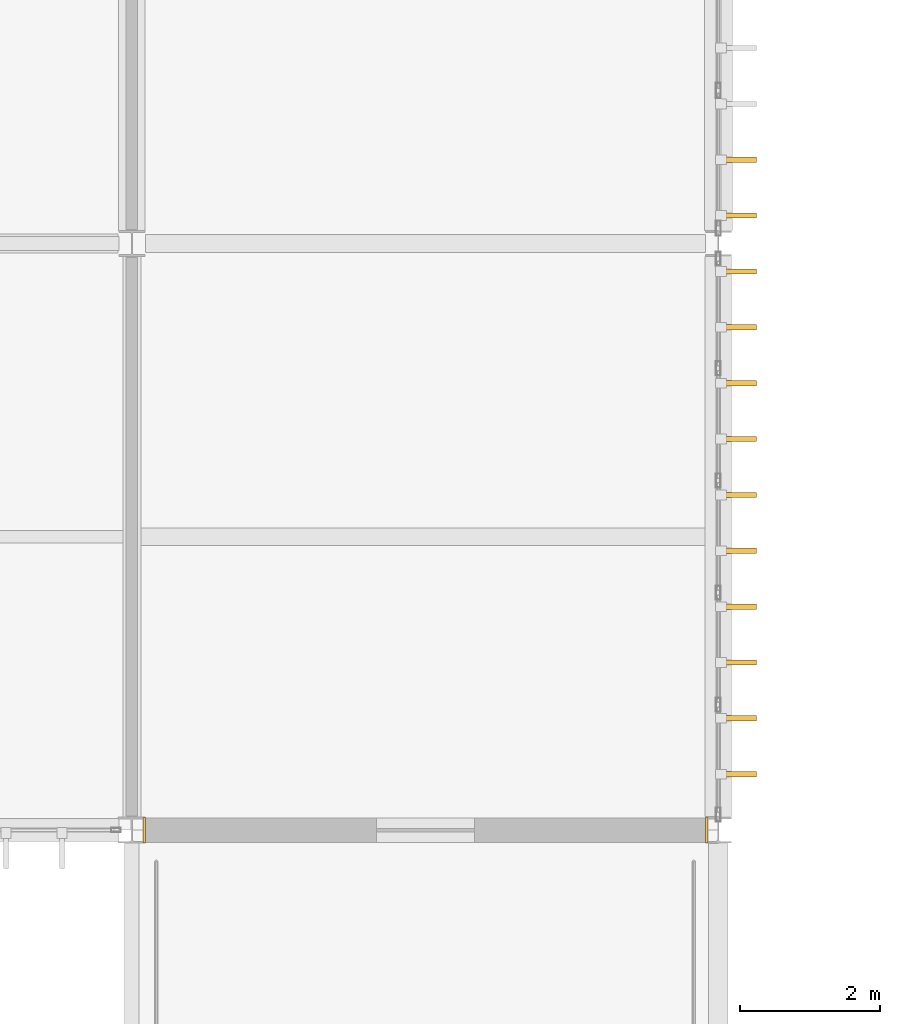
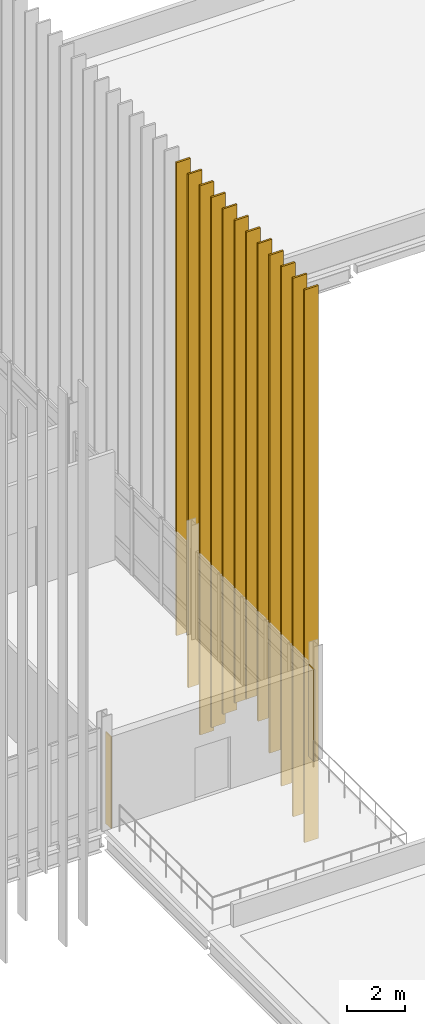
# One storey, part 142 of 153: 14 coverings.
"""IFC4 building model written with IfcOpenShell, lengths in metres."""

from ifc_helpers import new_model, si_unit, direction, frame, origin, origin_2d, place, context, subcontext, project, spatial, polyline, rectangle, outline, extrude, material, layer, layer_set, type_object, element, save


model = new_model("IFC4")

# Units and contexts
model_context = context("Model", 3, precision=1e-05, world=origin(), true_north=direction((0.0, 1.0)))
body_context = subcontext(model_context, "Body", "Model", "MODEL_VIEW")
ifc_project = project(units=[si_unit("LENGTHUNIT", "METRE"), si_unit("AREAUNIT", "SQUARE_METRE"), si_unit("VOLUMEUNIT", "CUBIC_METRE"), si_unit("PLANEANGLEUNIT", "RADIAN"), si_unit("MASSUNIT", "GRAM", prefix="KILO")], contexts=[model_context])

# Site, building, storey
site_placement = place(None, origin())
site = spatial("IfcSite", under=ifc_project, at=site_placement, CompositionType="ELEMENT")
building_placement = place(site_placement, origin())
building = spatial("IfcBuilding", under=site, at=building_placement, Name="Calvrana Isthmian Art Gallery", CompositionType="ELEMENT")
storey_placement = place(building_placement, frame((0.0, 0.0, 10.199951171875)))
storey = spatial("IfcBuildingStorey", under=building, at=storey_placement, Name="L02", CompositionType="ELEMENT", Elevation=10.199951171875)

# Coverings
ifc_material_1 = material(Name="Polychrome glazed terracotta", Category="masonry")
ifc_layer_1 = layer(ifc_material_1, 0.0400390625, Name="Polychrome glazed terracotta")
ifc_layer_set_1 = layer_set([ifc_layer_1], Name="Polychrome glazed terracotta")
covering_type_1 = type_object("IfcCoveringType", Name="COV-CLAD-TERRA", PredefinedType="CLADDING", material=ifc_layer_set_1)
covering_1_placement = place(storey_placement, origin())
element("IfcCovering", 1, at=covering_1_placement, inside=storey, type_object=covering_type_1, Name="Column pocket weather closure L02-09-03-W", PredefinedType="CLADDING", context=body_context, shape_type="SweptSolid", body=[
    extrude(outline(polyline([(72.156982421875, 21.4169921875), (72.197021484375, 21.4169921875), (72.197021484375, 21.782958984375), (72.156982421875, 21.782958984375), (72.156982421875, 21.4169921875)])), origin(), (0.0, 0.0, 1.0), 3.84716796875),
])
covering_2_placement = place(storey_placement, origin())
element("IfcCovering", 2, at=covering_2_placement, inside=storey, type_object=covering_type_1, Name="Column pocket weather closure L02-09-03-E", PredefinedType="CLADDING", context=body_context, shape_type="SweptSolid", body=[
    extrude(outline(polyline([(80.21337890625, 21.41845703125), (80.25341796875, 21.41845703125), (80.25341796875, 21.781494140625), (80.21337890625, 21.781494140625), (80.21337890625, 21.41845703125)])), origin(), (0.0, 0.0, 1.0), 3.84716796875),
])
ifc_material_2 = material(Name="Anodized bronze aluminium 6063-T6", Category="aluminium")
ifc_layer_2 = layer(ifc_material_2, 0.074951171875, Name="Anodized bronze aluminium 6063-T6")
ifc_layer_set_2 = layer_set([ifc_layer_2], Name="Anodized bronze aluminium 6063-T6")
covering_type_2 = type_object("IfcCoveringType", Name="COV-FIN-550", PredefinedType="CLADDING", material=ifc_layer_set_2)
covering_3_placement = place(storey_placement, frame((80.673095703125, 22.39990234375, -4.0498046875), z_axis=(0.0, 0.0, 1.0), x_axis=(1.0, 0.0, 0.0)))
element("IfcCovering", 3, at=covering_3_placement, inside=storey, type_object=covering_type_2, Name="Anodized bronze vertical solar fin FN-133", PredefinedType="CLADDING", context=body_context, shape_type="SweptSolid", body=[
    extrude(rectangle(XDim=0.550048828125, YDim=0.074951171875, at=origin_2d()), origin(), (0.0, 0.0, 1.0), 23.199951171875),
])
covering_4_placement = place(storey_placement, frame((80.673095703125, 23.199951171875, -3.449951171875), z_axis=(0.0, 0.0, 1.0), x_axis=(1.0, 0.0, 0.0)))
element("IfcCovering", 4, at=covering_4_placement, inside=storey, type_object=covering_type_2, Name="Anodized bronze vertical solar fin FN-134", PredefinedType="CLADDING", context=body_context, shape_type="SweptSolid", body=[
    extrude(rectangle(XDim=0.550048828125, YDim=0.074951171875, at=origin_2d()), origin(), (0.0, 0.0, 1.0), 22.60009765625),
])
covering_5_placement = place(storey_placement, frame((80.673095703125, 24.0, -2.64990234375), z_axis=(0.0, 0.0, 1.0), x_axis=(1.0, 0.0, 0.0)))
element("IfcCovering", 5, at=covering_5_placement, inside=storey, type_object=covering_type_2, Name="Anodized bronze vertical solar fin FN-135", PredefinedType="CLADDING", context=body_context, shape_type="SweptSolid", body=[
    extrude(rectangle(XDim=0.550048828125, YDim=0.074951171875, at=origin_2d()), origin(), (0.0, 0.0, 1.0), 21.800048828125),
])
covering_6_placement = place(storey_placement, frame((80.673095703125, 24.800048828125, -1.75), z_axis=(0.0, 0.0, 1.0), x_axis=(1.0, 0.0, 0.0)))
element("IfcCovering", 6, at=covering_6_placement, inside=storey, type_object=covering_type_2, Name="Anodized bronze vertical solar fin FN-136", PredefinedType="CLADDING", context=body_context, shape_type="SweptSolid", body=[
    extrude(rectangle(XDim=0.550048828125, YDim=0.074951171875, at=origin_2d()), origin(), (0.0, 0.0, 1.0), 20.89990234375),
])
covering_7_placement = place(storey_placement, frame((80.673095703125, 25.60009765625, -0.89990234375), z_axis=(0.0, 0.0, 1.0), x_axis=(1.0, 0.0, 0.0)))
element("IfcCovering", 7, at=covering_7_placement, inside=storey, type_object=covering_type_2, Name="Anodized bronze vertical solar fin FN-137", PredefinedType="CLADDING", context=body_context, shape_type="SweptSolid", body=[
    extrude(rectangle(XDim=0.550048828125, YDim=0.074951171875, at=origin_2d()), origin(), (0.0, 0.0, 1.0), 20.050048828125),
])
covering_8_placement = place(storey_placement, frame((80.673095703125, 26.39990234375, -0.449951171875), z_axis=(0.0, 0.0, 1.0), x_axis=(1.0, 0.0, 0.0)))
element("IfcCovering", 8, at=covering_8_placement, inside=storey, type_object=covering_type_2, Name="Anodized bronze vertical solar fin FN-138", PredefinedType="CLADDING", context=body_context, shape_type="SweptSolid", body=[
    extrude(rectangle(XDim=0.550048828125, YDim=0.074951171875, at=origin_2d()), origin(), (0.0, 0.0, 1.0), 19.60009765625),
])
covering_9_placement = place(storey_placement, frame((80.673095703125, 27.199951171875, -1.099853515625), z_axis=(0.0, 0.0, 1.0), x_axis=(1.0, 0.0, 0.0)))
element("IfcCovering", 9, at=covering_9_placement, inside=storey, type_object=covering_type_2, Name="Anodized bronze vertical solar fin FN-139", PredefinedType="CLADDING", context=body_context, shape_type="SweptSolid", body=[
    extrude(rectangle(XDim=0.550048828125, YDim=0.074951171875, at=origin_2d()), origin(), (0.0, 0.0, 1.0), 20.25),
])
covering_10_placement = place(storey_placement, frame((80.673095703125, 28.0, -2.0498046875), z_axis=(0.0, 0.0, 1.0), x_axis=(1.0, 0.0, 0.0)))
element("IfcCovering", 10, at=covering_10_placement, inside=storey, type_object=covering_type_2, Name="Anodized bronze vertical solar fin FN-140", PredefinedType="CLADDING", context=body_context, shape_type="SweptSolid", body=[
    extrude(rectangle(XDim=0.550048828125, YDim=0.074951171875, at=origin_2d()), origin(), (0.0, 0.0, 1.0), 21.199951171875),
])
covering_11_placement = place(storey_placement, frame((80.673095703125, 28.800048828125, -3.099853515625), z_axis=(0.0, 0.0, 1.0), x_axis=(1.0, 0.0, 0.0)))
element("IfcCovering", 11, at=covering_11_placement, inside=storey, type_object=covering_type_2, Name="Anodized bronze vertical solar fin FN-141", PredefinedType="CLADDING", context=body_context, shape_type="SweptSolid", body=[
    extrude(rectangle(XDim=0.550048828125, YDim=0.074951171875, at=origin_2d()), origin(), (0.0, 0.0, 1.0), 22.25),
])
covering_12_placement = place(storey_placement, frame((80.673095703125, 29.60009765625, -3.89990234375), z_axis=(0.0, 0.0, 1.0), x_axis=(1.0, 0.0, 0.0)))
element("IfcCovering", 12, at=covering_12_placement, inside=storey, type_object=covering_type_2, Name="Anodized bronze vertical solar fin FN-142", PredefinedType="CLADDING", context=body_context, shape_type="SweptSolid", body=[
    extrude(rectangle(XDim=0.550048828125, YDim=0.074951171875, at=origin_2d()), origin(), (0.0, 0.0, 1.0), 23.050048828125),
])
covering_13_placement = place(storey_placement, frame((80.673095703125, 30.39990234375, -2.39990234375), z_axis=(0.0, 0.0, 1.0), x_axis=(1.0, 0.0, 0.0)))
element("IfcCovering", 13, at=covering_13_placement, inside=storey, type_object=covering_type_2, Name="Anodized bronze vertical solar fin FN-143", PredefinedType="CLADDING", context=body_context, shape_type="SweptSolid", body=[
    extrude(rectangle(XDim=0.550048828125, YDim=0.074951171875, at=origin_2d()), origin(), (0.0, 0.0, 1.0), 21.550048828125),
])
covering_14_placement = place(storey_placement, frame((80.673095703125, 31.199951171875, -0.699951171875), z_axis=(0.0, 0.0, 1.0), x_axis=(1.0, 0.0, 0.0)))
element("IfcCovering", 14, at=covering_14_placement, inside=storey, type_object=covering_type_2, Name="Anodized bronze vertical solar fin FN-144", PredefinedType="CLADDING", context=body_context, shape_type="SweptSolid", body=[
    extrude(rectangle(XDim=0.550048828125, YDim=0.074951171875, at=origin_2d()), origin(), (0.0, 0.0, 1.0), 19.85009765625),
])

save(model, "model.ifc")
